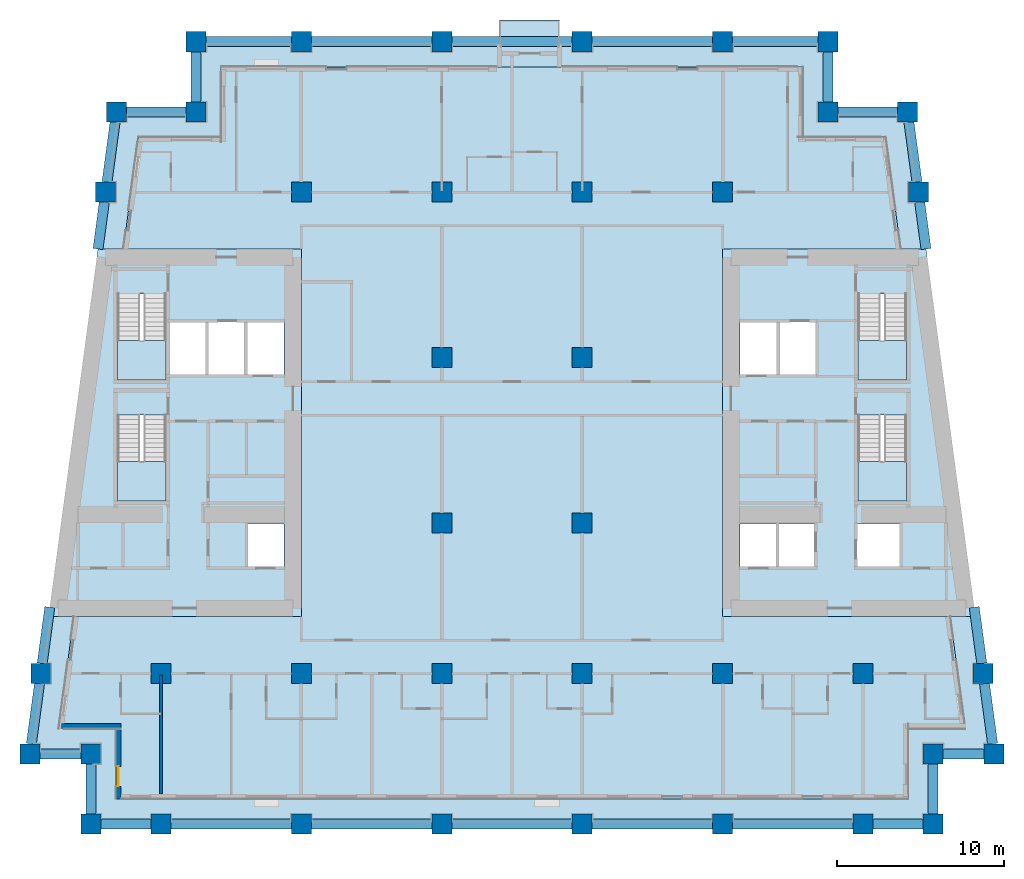
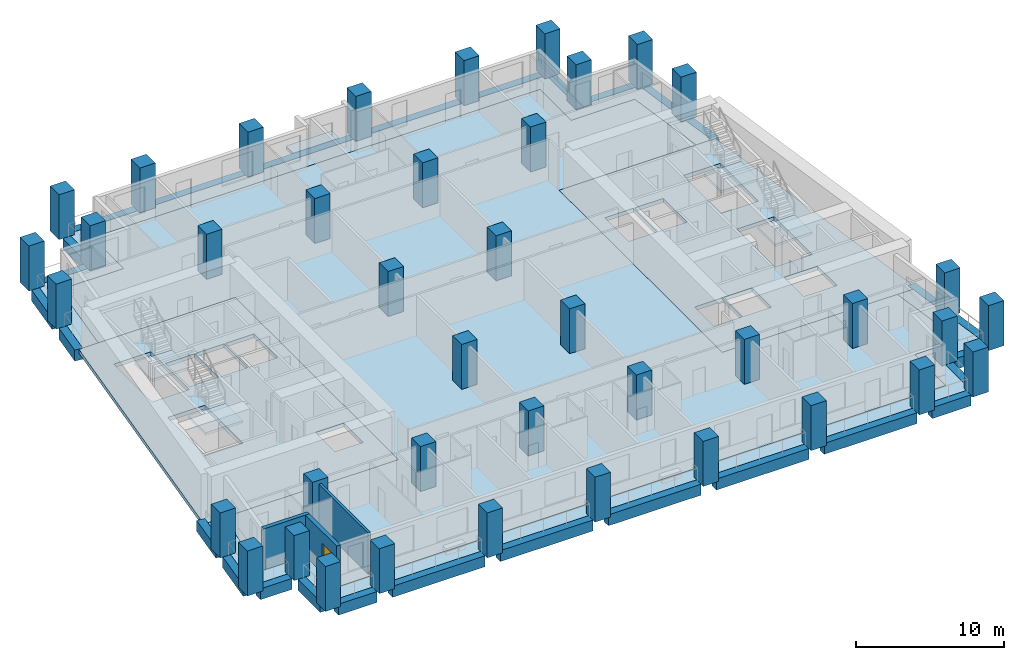
# One storey, part 1 of 13: 40 columns, 28 beams, 10 slabs, 3 walls, 1 door, 1 opening, 4 elements without a shape of their own.
"""IFC4 building model written with IfcOpenShell, lengths in metres."""

import ifcopenshell
import ifcopenshell.guid

model = None  # the IFC model being written
_history = None  # IfcOwnerHistory: only IFC2X3 demands one
_inside = {}  # id of a spatial element -> (the spatial element, [elements in it])
_under = {}  # id of a project, library or spatial element -> (it, [spatial elements below it])
_declared = {}  # id of a project -> (the project, [libraries it declares])
_typed = {}  # id of a type object -> (the type object, [elements of that type])
_made_of = {}  # id of a material, layer set ... -> (it, [elements and type objects made of it])


def new_model(schema):
    """Start an empty IFC model of exactly this schema.

    Asked for "IFC4X3", IfcOpenShell would pick the latest addendum, in which some entities
    have other attributes; the version numbers below select the first issue.
    IFC2X3 requires an IfcOwnerHistory on every rooted entity: one is made here for all.
    """
    global model, _history
    if schema == "IFC4X3":
        model = ifcopenshell.file(schema_version=(4, 3, 0, 0))
    else:
        model = ifcopenshell.file(schema=schema)
    _inside.clear()
    _under.clear()
    _declared.clear()
    _typed.clear()
    _made_of.clear()
    _history = None
    if model.schema == "IFC2X3":
        org = make("IfcOrganization", Name="unknown")
        user = make(
            "IfcPersonAndOrganization",
            ThePerson=make("IfcPerson", FamilyName="unknown"),
            TheOrganization=org,
        )
        app = make(
            "IfcApplication",
            ApplicationDeveloper=org,
            Version="unknown",
            ApplicationFullName="unknown",
            ApplicationIdentifier="unknown",
        )
        _history = make(
            "IfcOwnerHistory",
            OwningUser=user,
            OwningApplication=app,
            ChangeAction="ADDED",
            CreationDate=0,
        )
    return model


def make(cls, **values):
    """One entity of the class cls with the attributes given. An attribute that is None is left unset."""
    return model.create_entity(
        cls, **{name: value for name, value in values.items() if value is not None}
    )


def rooted(cls, **values):
    """An entity with a GlobalId (a new one), such as an element, a storey or a relation."""
    return make(cls, GlobalId=ifcopenshell.guid.new(), OwnerHistory=_history, **values)


def si_unit(unit_type, name, prefix=None):
    """IfcSIUnit, for example si_unit("LENGTHUNIT", "METRE", prefix="MILLI")."""
    return make("IfcSIUnit", UnitType=unit_type, Prefix=prefix, Name=name)


def assignment(units):
    """IfcUnitAssignment: the units of a project."""
    return None if units is None else make("IfcUnitAssignment", Units=units)


def point(xyz):
    """IfcCartesianPoint."""
    return None if xyz is None else make("IfcCartesianPoint", Coordinates=xyz)


def direction(xyz):
    """IfcDirection."""
    return None if xyz is None else make("IfcDirection", DirectionRatios=xyz)


def frame(location, z_axis=None, x_axis=None):
    """IfcAxis2Placement3D, a coordinate frame: its origin and axes. An axis left out is left unset."""
    return make(
        "IfcAxis2Placement3D",
        Location=point(location),
        Axis=direction(z_axis),
        RefDirection=direction(x_axis),
    )


def frame_2d(location, x_axis=None):
    """IfcAxis2Placement2D, a coordinate frame in the plane: its origin and x axis."""
    return make(
        "IfcAxis2Placement2D", Location=point(location), RefDirection=direction(x_axis)
    )


def origin():
    """The frame at (0, 0, 0) with its axes left unset."""
    return frame((0.0, 0.0, 0.0))


def origin_2d():
    """The frame at (0, 0) in the plane with its x axis left unset."""
    return frame_2d((0.0, 0.0))


def place(relative_to, where):
    """IfcLocalPlacement: puts the frame where relative to a parent placement (None: the world)."""
    return make(
        "IfcLocalPlacement", PlacementRelTo=relative_to, RelativePlacement=where
    )


def context(
    kind, dimensions, precision=None, world=None, true_north=None, identifier=None
):
    """IfcGeometricRepresentationContext, for example the 3D "Model" context."""
    return make(
        "IfcGeometricRepresentationContext",
        ContextIdentifier=identifier,
        ContextType=kind,
        CoordinateSpaceDimension=dimensions,
        Precision=precision,
        WorldCoordinateSystem=world,
        TrueNorth=true_north,
    )


def subcontext(parent, identifier, kind, view, scale=None):
    """IfcGeometricRepresentationSubContext, for example "Body" below "Model"."""
    return make(
        "IfcGeometricRepresentationSubContext",
        ContextIdentifier=identifier,
        ContextType=kind,
        ParentContext=parent,
        TargetScale=scale,
        TargetView=view,
    )


def project(units=None, contexts=None):
    """IfcProject with its units and contexts."""
    return rooted(
        "IfcProject",
        Name="project",
        RepresentationContexts=contexts,
        UnitsInContext=assignment(units),
    )


def spatial(cls, under=None, at=None, **own):
    """A site, building, storey or space (cls), placed at a placement, below another one or the project."""
    s = rooted(cls, ObjectPlacement=at, **own)
    if under is not None:
        _under.setdefault(under.id(), (under, []))[1].append(s)
    return s


def polyline(points):
    """IfcPolyline through the points."""
    return make("IfcPolyline", Points=[point(p) for p in points])


def profile(cls, at=None, kind="AREA", **sizes):
    """A parametric profile (cls). Its sizes go by their IFC names, for example OverallWidth=200.0."""
    return make(cls, ProfileType=kind, Position=at, **sizes)


def rectangle(**sizes):
    """IfcRectangleProfileDef."""
    return profile("IfcRectangleProfileDef", **sizes)


def outline(outer, holes=None, kind="AREA"):
    """IfcArbitraryClosedProfileDef: a profile drawn as a closed curve; with holes, ...WithVoids."""
    if holes is None:
        return make("IfcArbitraryClosedProfileDef", ProfileType=kind, OuterCurve=outer)
    return make(
        "IfcArbitraryProfileDefWithVoids",
        ProfileType=kind,
        OuterCurve=outer,
        InnerCurves=holes,
    )


def extrude(swept, where, along, depth):
    """IfcExtrudedAreaSolid: the profile swept, set in the frame where, extruded along a direction by depth."""
    return make(
        "IfcExtrudedAreaSolid",
        SweptArea=swept,
        Position=where,
        ExtrudedDirection=direction(along),
        Depth=depth,
    )


def shape(context_of_items, identifier, shape_type, items):
    """IfcShapeRepresentation: the items that make up one representation, for example the "Body"."""
    return make(
        "IfcShapeRepresentation",
        ContextOfItems=context_of_items,
        RepresentationIdentifier=identifier,
        RepresentationType=shape_type,
        Items=items,
    )


def material(Name=None, Category=None):
    """IfcMaterial."""
    return make("IfcMaterial", Name=Name, Category=Category)


def layer(
    of_material, thickness, ventilated=None, Name=None, Category=None, Priority=None
):
    """IfcMaterialLayer: one layer of a wall or slab, of a material (None: an air gap)."""
    return make(
        "IfcMaterialLayer",
        Material=of_material,
        LayerThickness=thickness,
        IsVentilated=ventilated,
        Name=Name,
        Category=Category,
        Priority=Priority,
    )


def layer_set(layers, Name=None):
    """IfcMaterialLayerSet."""
    return make("IfcMaterialLayerSet", MaterialLayers=layers, LayerSetName=Name)


def material_profile(
    of_material, cross_section, Name=None, Category=None, Priority=None
):
    """IfcMaterialProfile: a cross section and its material."""
    return make(
        "IfcMaterialProfile",
        Name=Name,
        Material=of_material,
        Profile=cross_section,
        Priority=Priority,
        Category=Category,
    )


def profile_set(profiles, Name=None, composite=None):
    """IfcMaterialProfileSet."""
    return make(
        "IfcMaterialProfileSet",
        Name=Name,
        MaterialProfiles=profiles,
        CompositeProfile=composite,
    )


def made_of(thing, what):
    """Note that an element or type object is made of a material, layer set ...; save() writes the relation."""
    if what is not None:
        _made_of.setdefault(what.id(), (what, []))[1].append(thing)
    return thing


def type_object(cls, material=None, **own):
    """A type object (cls), such as IfcWallType, which elements share."""
    return made_of(rooted(cls, **own), material)


def element(
    cls,
    number,
    at=None,
    inside=None,
    cuts=None,
    type_object=None,
    material=None,
    context=None,
    identifier="Body",
    shape_type=None,
    held_by="IfcProductDefinitionShape",
    body=None,
    shapes=None,
    **own,
):
    """One element of the class cls, such as IfcWall. Its Tag is "e" and its number.

    at: its placement. inside: the storey or other place that contains it. cuts: it is an
    opening in that element (IfcRelVoidsElement). A single representation is given by context,
    identifier, shape_type and body (its items); several are given by shapes. held_by: the class
    of the entity that holds the representations. save() writes the other relations.
    """
    e = rooted(cls, Tag="e%d" % number, ObjectPlacement=at, **own)
    if body is not None:
        shapes = [shape(context, identifier, shape_type, body)]
    if shapes is not None:
        e.Representation = make(held_by, Representations=shapes)
    if inside is not None:
        _inside.setdefault(inside.id(), (inside, []))[1].append(e)
    if cuts is not None:
        rooted(
            "IfcRelVoidsElement", RelatingBuildingElement=cuts, RelatedOpeningElement=e
        )
    if type_object is not None:
        _typed.setdefault(type_object.id(), (type_object, []))[1].append(e)
    return made_of(e, material)


def fill(opening, filler):
    """IfcRelFillsElement: the door or window that sits in an opening."""
    return rooted(
        "IfcRelFillsElement",
        RelatingOpeningElement=opening,
        RelatedBuildingElement=filler,
    )


def aggregate(whole, parts):
    """IfcRelAggregates: a whole, such as a stair, and the parts it consists of."""
    return rooted("IfcRelAggregates", RelatingObject=whole, RelatedObjects=parts)


def save(model, path):
    """Write the relations noted so far, then the file.

    IfcRelAggregates (storeys below a building ...), IfcRelContainedInSpatialStructure (elements
    in a storey), IfcRelDefinesByType, IfcRelAssociatesMaterial and IfcRelDeclares: one each for
    every whole, place, type object, material and project.
    """
    for whole, parts in _under.values():
        aggregate(whole, parts)
    for where, things in _inside.values():
        rooted(
            "IfcRelContainedInSpatialStructure",
            RelatedElements=things,
            RelatingStructure=where,
        )
    for kind, things in _typed.values():
        rooted("IfcRelDefinesByType", RelatedObjects=things, RelatingType=kind)
    for what, things in _made_of.values():
        rooted("IfcRelAssociatesMaterial", RelatedObjects=things, RelatingMaterial=what)
    for by, libraries in _declared.values():
        rooted("IfcRelDeclares", RelatingContext=by, RelatedDefinitions=libraries)
    model.write(path)


model = new_model("IFC4")

# Units and contexts
model_context = context("Model", 3, precision=1e-05, world=origin(), true_north=direction((0.0, 1.0)))
body_context = subcontext(model_context, "Body", "Model", "MODEL_VIEW")
ifc_project = project(units=[si_unit("LENGTHUNIT", "METRE"), si_unit("AREAUNIT", "SQUARE_METRE"), si_unit("VOLUMEUNIT", "CUBIC_METRE"), si_unit("PLANEANGLEUNIT", "RADIAN"), si_unit("MASSUNIT", "GRAM", prefix="KILO")], contexts=[model_context])

# Site, building, storey
site_placement = place(None, origin())
site = spatial("IfcSite", under=ifc_project, at=site_placement, CompositionType="ELEMENT")
building_placement = place(site_placement, origin())
building = spatial("IfcBuilding", under=site, at=building_placement, Name="Candeia Pilgrim Tower and Theatre", CompositionType="ELEMENT")
storey_placement = place(building_placement, frame((0.0, 0.0, 94.699951171875)))
storey = spatial("IfcBuildingStorey", under=building, at=storey_placement, Name="L21", CompositionType="ELEMENT", Elevation=94.699951171875)

# Columns
ifc_material_1 = material(Name="Concrete C70/85", Category="concrete")
ifc_material_profile_1 = material_profile(ifc_material_1, rectangle(XDim=1.199951171875, YDim=1.199951171875, at=origin_2d()))
ifc_profile_set_1 = profile_set([ifc_material_profile_1], Name="Concrete C70/85")
column_type = type_object("IfcColumnType", Name="RC 1200x1200 C70/85", PredefinedType="COLUMN", material=ifc_profile_set_1)
for number, where, z_axis, x_axis, name in (
    (1, (92.39990234375, 98.0, 0.0), (0.0, 0.0, 1.0), (1.0, 0.0, 0.0), "Column A1"),
    (2, (100.800048828125, 98.0, 0.0), (0.0, 0.0, 1.0), (1.0, 0.0, 0.0), "Column A2"),
    (3, (109.199951171875, 98.0, 0.0), (0.0, 0.0, 1.0), (1.0, 0.0, 0.0), "Column A3"),
    (4, (117.60009765625, 98.0, 0.0), (0.0, 0.0, 1.0), (1.0, 0.0, 0.0), "Column A4"),
    (5, (126.0, 98.0, 0.0), (0.0, 0.0, 1.0), (1.0, 0.0, 0.0), "Column A5"),
    (6, (134.39990234375, 98.0, 0.0), (0.0, 0.0, 1.0), (1.0, 0.0, 0.0), "Column A6"),
    (7, (88.199951171875, 98.0, 0.0), (0.0, 0.0, 1.0), (1.0, 0.0, 0.0), "Column AW"),
    (8, (138.60009765625, 98.0, 0.0), (0.0, 0.0, 1.0), (1.0, 0.0, 0.0), "Column AE"),
    (9, (88.199951171875, 102.199951171875, 0.0), (0.0, 0.0, 1.0), (1.0, 0.0, 0.0), "Column NSW"),
    (10, (138.60009765625, 102.199951171875, 0.0), (0.0, 0.0, 1.0), (1.0, 0.0, 0.0), "Column NSE"),
    (11, (94.5, 140.60009765625, 0.0), (0.0, 0.0, 1.0), (1.0, 0.0, 0.0), "Column NNW"),
    (12, (132.300048828125, 140.60009765625, 0.0), (0.0, 0.0, 1.0), (1.0, 0.0, 0.0), "Column NNE"),
    (13, (84.5654296875, 102.199951171875, 0.0), (0.0, 0.0, 1.0), (1.0, 0.0, 0.0), "Column LSW"),
    (14, (142.234619140625, 102.199951171875, 0.0), (0.0, 0.0, 1.0), (1.0, 0.0, 0.0), "Column LSE"),
    (15, (89.734619140625, 140.60009765625, 0.0), (0.0, 0.0, 1.0), (1.0, 0.0, 0.0), "Column LNW"),
    (16, (137.0654296875, 140.60009765625, 0.0), (0.0, 0.0, 1.0), (1.0, 0.0, 0.0), "Column LNE"),
    (17, (92.39990234375, 107.0, 0.0), (0.0, 0.0, 1.0), (1.0, 0.0, 0.0), "Column B1"),
    (18, (100.800048828125, 107.0, 0.0), (0.0, 0.0, 1.0), (1.0, 0.0, 0.0), "Column B2"),
    (19, (109.199951171875, 107.0, 0.0), (0.0, 0.0, 1.0), (1.0, 0.0, 0.0), "Column B3"),
    (20, (117.60009765625, 107.0, 0.0), (0.0, 0.0, 1.0), (1.0, 0.0, 0.0), "Column B4"),
    (21, (126.0, 107.0, 0.0), (0.0, 0.0, 1.0), (1.0, 0.0, 0.0), "Column B5"),
    (22, (134.39990234375, 107.0, 0.0), (0.0, 0.0, 1.0), (1.0, 0.0, 0.0), "Column B6"),
    (23, (85.21142578125, 107.0, 0.0), (0.0, 0.0, 1.0), (1.0, 0.0, 0.0), "Column BW"),
    (24, (141.58837890625, 107.0, 0.0), (0.0, 0.0, 1.0), (1.0, 0.0, 0.0), "Column BE"),
    (25, (109.199951171875, 116.0, 0.0), (0.0, 0.0, 1.0), (1.0, 0.0, 0.0), "Column C3"),
    (26, (117.60009765625, 116.0, 0.0), (0.0, 0.0, 1.0), (1.0, 0.0, 0.0), "Column C4"),
    (27, (109.199951171875, 125.89990234375, 0.0), (0.0, 0.0, 1.0), (1.0, 0.0, 0.0), "Column D3"),
    (28, (117.60009765625, 125.89990234375, 0.0), (0.0, 0.0, 1.0), (1.0, 0.0, 0.0), "Column D4"),
    (29, (100.800048828125, 135.800048828125, 0.0), (0.0, 0.0, 1.0), (1.0, 0.0, 0.0), "Column E2"),
    (30, (109.199951171875, 135.800048828125, 0.0), (0.0, 0.0, 1.0), (1.0, 0.0, 0.0), "Column E3"),
    (31, (117.60009765625, 135.800048828125, 0.0), (0.0, 0.0, 1.0), (1.0, 0.0, 0.0), "Column E4"),
    (32, (126.0, 135.800048828125, 0.0), (0.0, 0.0, 1.0), (1.0, 0.0, 0.0), "Column E5"),
    (33, (89.08837890625, 135.800048828125, 0.0), (0.0, 0.0, 1.0), (1.0, 0.0, 0.0), "Column EW"),
    (34, (137.71142578125, 135.800048828125, 0.0), (0.0, 0.0, 1.0), (1.0, 0.0, 0.0), "Column EE"),
    (35, (100.800048828125, 144.800048828125, 0.0), (0.0, 0.0, 1.0), (1.0, 0.0, 0.0), "Column F2"),
    (36, (109.199951171875, 144.800048828125, 0.0), (0.0, 0.0, 1.0), (1.0, 0.0, 0.0), "Column F3"),
    (37, (117.60009765625, 144.800048828125, 0.0), (0.0, 0.0, 1.0), (1.0, 0.0, 0.0), "Column F4"),
    (38, (126.0, 144.800048828125, 0.0), (0.0, 0.0, 1.0), (1.0, 0.0, 0.0), "Column F5"),
    (39, (94.5, 144.800048828125, 0.0), (0.0, 0.0, 1.0), (1.0, 0.0, 0.0), "Column FW"),
    (40, (132.300048828125, 144.800048828125, 0.0), (0.0, 0.0, 1.0), (1.0, 0.0, 0.0), "Column FE"),
):
    element("IfcColumn", number, at=place(storey_placement, frame(where, z_axis=z_axis, x_axis=x_axis)), inside=storey, type_object=column_type, Name=name, PredefinedType="COLUMN", context=body_context, shape_type="SweptSolid", body=[
        extrude(rectangle(XDim=1.199951171875, YDim=1.199951171875, at=origin_2d()), origin(), (0.0, 0.0, 1.0), 3.699951171875),
    ])

# Beams
ifc_material_profile_2 = material_profile(ifc_material_1, rectangle(XDim=0.60009765625, YDim=0.89990234375, at=origin_2d()))
ifc_profile_set_2 = profile_set([ifc_material_profile_2], Name="Concrete C70/85")
beam_type = type_object("IfcBeamType", Name="RC 600x900 C70/85", PredefinedType="BEAM", material=ifc_profile_set_2)
beam_1_placement = place(storey_placement, frame((88.800048828125, 98.0, -0.449951171875), z_axis=(1.0, 0.0, 0.0), x_axis=(0.0, 1.0, 0.0)))
element("IfcBeam", 41, at=beam_1_placement, inside=storey, type_object=beam_type, Name="Spandrel beam L21-01", PredefinedType="BEAM", context=body_context, shape_type="SweptSolid", body=[
    extrude(rectangle(XDim=0.60009765625, YDim=0.89990234375, at=origin_2d()), origin(), (0.0, 0.0, 1.0), 3.0),
])
beam_2_placement = place(storey_placement, frame((93.0, 98.0, -0.449951171875), z_axis=(1.0, 0.0, 0.0), x_axis=(0.0, 1.0, 0.0)))
element("IfcBeam", 42, at=beam_2_placement, inside=storey, type_object=beam_type, Name="Spandrel beam L21-02", PredefinedType="BEAM", context=body_context, shape_type="SweptSolid", body=[
    extrude(rectangle(XDim=0.60009765625, YDim=0.89990234375, at=origin_2d()), origin(), (0.0, 0.0, 1.0), 7.199951171875),
])
beam_3_placement = place(storey_placement, frame((101.39990234375, 98.0, -0.449951171875), z_axis=(1.0, 0.0, 0.0), x_axis=(0.0, 1.0, 0.0)))
element("IfcBeam", 43, at=beam_3_placement, inside=storey, type_object=beam_type, Name="Spandrel beam L21-03", PredefinedType="BEAM", context=body_context, shape_type="SweptSolid", body=[
    extrude(rectangle(XDim=0.60009765625, YDim=0.89990234375, at=origin_2d()), origin(), (0.0, 0.0, 1.0), 7.2001953125),
])
for number, where, z_axis, x_axis, name in (
    (44, (109.800048828125, 98.0, -0.449951171875), (1.0, 0.0, 0.0), (0.0, 1.0, 0.0), "Spandrel beam L21-04"),
    (45, (118.199951171875, 98.0, -0.449951171875), (1.0, 0.0, 0.0), (0.0, 1.0, 0.0), "Spandrel beam L21-05"),
    (46, (126.60009765625, 98.0, -0.449951171875), (1.0, 0.0, 0.0), (0.0, 1.0, 0.0), "Spandrel beam L21-06"),
):
    element("IfcBeam", number, at=place(storey_placement, frame(where, z_axis=z_axis, x_axis=x_axis)), inside=storey, type_object=beam_type, Name=name, PredefinedType="BEAM", context=body_context, shape_type="SweptSolid", body=[
        extrude(rectangle(XDim=0.60009765625, YDim=0.89990234375, at=origin_2d()), origin(), (0.0, 0.0, 1.0), 7.199951171875),
    ])
for number, where, z_axis, x_axis, name in (
    (47, (135.0, 98.0, -0.449951171875), (1.0, 0.0, 0.0), (0.0, 1.0, 0.0), "Spandrel beam L21-07"),
    (48, (138.60009765625, 98.60009765625, -0.449951171875), (0.0, 1.0, 0.0), (-1.0, 0.0, 0.0), "Spandrel beam L21-08"),
):
    element("IfcBeam", number, at=place(storey_placement, frame(where, z_axis=z_axis, x_axis=x_axis)), inside=storey, type_object=beam_type, Name=name, PredefinedType="BEAM", context=body_context, shape_type="SweptSolid", body=[
        extrude(rectangle(XDim=0.60009765625, YDim=0.89990234375, at=origin_2d()), origin(), (0.0, 0.0, 1.0), 3.0),
    ])
beam_4_placement = place(storey_placement, frame((139.199951171875, 102.199951171875, -0.449951171875), z_axis=(1.0, 0.0, 0.0), x_axis=(0.0, 1.0, 0.0)))
element("IfcBeam", 49, at=beam_4_placement, inside=storey, type_object=beam_type, Name="Spandrel beam L21-09", PredefinedType="BEAM", context=body_context, shape_type="SweptSolid", body=[
    extrude(rectangle(XDim=0.60009765625, YDim=0.89990234375, at=origin_2d()), origin(), (0.0, 0.0, 1.0), 2.4345703125),
])
beam_5_placement = place(storey_placement, frame((142.15380859375, 102.800048828125, -0.449951171875), z_axis=(-0.133418359924, 0.991059807093, 0.0), x_axis=(-0.991059807093, -0.133418359924, 0.0)))
element("IfcBeam", 50, at=beam_5_placement, inside=storey, type_object=beam_type, Name="Spandrel beam L21-10", PredefinedType="BEAM", context=body_context, shape_type="SweptSolid", body=[
    extrude(rectangle(XDim=0.60009765625, YDim=0.89990234375, at=origin_2d()), origin(), (0.0, 0.0, 1.0), 3.63232421875),
])
beam_6_placement = place(storey_placement, frame((141.5078125, 107.60009765625, -0.449951171875), z_axis=(-0.133458165992, 0.99105444751, 0.0), x_axis=(-0.99105444751, -0.133458165992, 0.0)))
element("IfcBeam", 51, at=beam_6_placement, inside=storey, type_object=beam_type, Name="Spandrel beam L21-11", PredefinedType="BEAM", context=body_context, shape_type="SweptSolid", body=[
    extrude(rectangle(XDim=0.60009765625, YDim=0.89990234375, at=origin_2d()), origin(), (0.0, 0.0, 1.0), 3.39697265625),
])
beam_7_placement = place(storey_placement, frame((138.169189453125, 132.39990234375, -0.449951171875), z_axis=(-0.133420173099, 0.991059562998, 0.0), x_axis=(-0.991059562998, -0.133420173099, 0.0)))
element("IfcBeam", 52, at=beam_7_placement, inside=storey, type_object=beam_type, Name="Spandrel beam L21-12", PredefinedType="BEAM", context=body_context, shape_type="SweptSolid", body=[
    extrude(rectangle(XDim=0.60009765625, YDim=0.89990234375, at=origin_2d()), origin(), (0.0, 0.0, 1.0), 2.8251953125),
])
beam_8_placement = place(storey_placement, frame((137.630859375, 136.39990234375, -0.449951171875), z_axis=(-0.133409473196, 0.991061003401, 0.0), x_axis=(-0.991061003401, -0.133409473196, 0.0)))
element("IfcBeam", 53, at=beam_8_placement, inside=storey, type_object=beam_type, Name="Spandrel beam L21-13", PredefinedType="BEAM", context=body_context, shape_type="SweptSolid", body=[
    extrude(rectangle(XDim=0.60009765625, YDim=0.89990234375, at=origin_2d()), origin(), (0.0, 0.0, 1.0), 3.632568359375),
])
beam_9_placement = place(storey_placement, frame((136.46533203125, 140.60009765625, -0.449951171875), z_axis=(-1.0, 0.0, 0.0), x_axis=(0.0, -1.0, 0.0)))
element("IfcBeam", 54, at=beam_9_placement, inside=storey, type_object=beam_type, Name="Spandrel beam L21-14", PredefinedType="BEAM", context=body_context, shape_type="SweptSolid", body=[
    extrude(rectangle(XDim=0.60009765625, YDim=0.89990234375, at=origin_2d()), origin(), (0.0, 0.0, 1.0), 3.5654296875),
])
beam_10_placement = place(storey_placement, frame((132.300048828125, 141.199951171875, -0.449951171875), z_axis=(0.0, 1.0, 0.0), x_axis=(-1.0, 0.0, 0.0)))
element("IfcBeam", 55, at=beam_10_placement, inside=storey, type_object=beam_type, Name="Spandrel beam L21-15", PredefinedType="BEAM", context=body_context, shape_type="SweptSolid", body=[
    extrude(rectangle(XDim=0.60009765625, YDim=0.89990234375, at=origin_2d()), origin(), (0.0, 0.0, 1.0), 3.0),
])
beam_11_placement = place(storey_placement, frame((131.699951171875, 144.800048828125, -0.449951171875), z_axis=(-1.0, 0.0, 0.0), x_axis=(0.0, -1.0, 0.0)))
element("IfcBeam", 56, at=beam_11_placement, inside=storey, type_object=beam_type, Name="Spandrel beam L21-16", PredefinedType="BEAM", context=body_context, shape_type="SweptSolid", body=[
    extrude(rectangle(XDim=0.60009765625, YDim=0.89990234375, at=origin_2d()), origin(), (0.0, 0.0, 1.0), 5.099853515625),
])
for number, where, z_axis, x_axis, name in (
    (57, (125.39990234375, 144.800048828125, -0.449951171875), (-1.0, 0.0, 0.0), (0.0, -1.0, 0.0), "Spandrel beam L21-17"),
    (58, (117.0, 144.800048828125, -0.449951171875), (-1.0, 0.0, 0.0), (0.0, -1.0, 0.0), "Spandrel beam L21-18"),
):
    element("IfcBeam", number, at=place(storey_placement, frame(where, z_axis=z_axis, x_axis=x_axis)), inside=storey, type_object=beam_type, Name=name, PredefinedType="BEAM", context=body_context, shape_type="SweptSolid", body=[
        extrude(rectangle(XDim=0.60009765625, YDim=0.89990234375, at=origin_2d()), origin(), (0.0, 0.0, 1.0), 7.199951171875),
    ])
beam_12_placement = place(storey_placement, frame((108.60009765625, 144.800048828125, -0.449951171875), z_axis=(-1.0, 0.0, 0.0), x_axis=(0.0, -1.0, 0.0)))
element("IfcBeam", 59, at=beam_12_placement, inside=storey, type_object=beam_type, Name="Spandrel beam L21-19", PredefinedType="BEAM", context=body_context, shape_type="SweptSolid", body=[
    extrude(rectangle(XDim=0.60009765625, YDim=0.89990234375, at=origin_2d()), origin(), (0.0, 0.0, 1.0), 7.2001953125),
])
beam_13_placement = place(storey_placement, frame((100.199951171875, 144.800048828125, -0.449951171875), z_axis=(-1.0, 0.0, 0.0), x_axis=(0.0, -1.0, 0.0)))
element("IfcBeam", 60, at=beam_13_placement, inside=storey, type_object=beam_type, Name="Spandrel beam L21-20", PredefinedType="BEAM", context=body_context, shape_type="SweptSolid", body=[
    extrude(rectangle(XDim=0.60009765625, YDim=0.89990234375, at=origin_2d()), origin(), (0.0, 0.0, 1.0), 5.099853515625),
])
beam_14_placement = place(storey_placement, frame((94.5, 144.199951171875, -0.449951171875), z_axis=(0.0, -1.0, 0.0), x_axis=(1.0, 0.0, 0.0)))
element("IfcBeam", 61, at=beam_14_placement, inside=storey, type_object=beam_type, Name="Spandrel beam L21-21", PredefinedType="BEAM", context=body_context, shape_type="SweptSolid", body=[
    extrude(rectangle(XDim=0.60009765625, YDim=0.89990234375, at=origin_2d()), origin(), (0.0, 0.0, 1.0), 3.0),
])
beam_15_placement = place(storey_placement, frame((93.89990234375, 140.60009765625, -0.449951171875), z_axis=(-1.0, 0.0, 0.0), x_axis=(0.0, -1.0, 0.0)))
element("IfcBeam", 62, at=beam_15_placement, inside=storey, type_object=beam_type, Name="Spandrel beam L21-22", PredefinedType="BEAM", context=body_context, shape_type="SweptSolid", body=[
    extrude(rectangle(XDim=0.60009765625, YDim=0.89990234375, at=origin_2d()), origin(), (0.0, 0.0, 1.0), 3.565185546875),
])
beam_16_placement = place(storey_placement, frame((89.65380859375, 140.0, -0.449951171875), z_axis=(-0.133409473196, -0.991061003401, 0.0), x_axis=(0.991061003401, -0.133409473196, 0.0)))
element("IfcBeam", 63, at=beam_16_placement, inside=storey, type_object=beam_type, Name="Spandrel beam L21-23", PredefinedType="BEAM", context=body_context, shape_type="SweptSolid", body=[
    extrude(rectangle(XDim=0.60009765625, YDim=0.89990234375, at=origin_2d()), origin(), (0.0, 0.0, 1.0), 3.632568359375),
])
beam_17_placement = place(storey_placement, frame((89.0078125, 135.199951171875, -0.449951171875), z_axis=(-0.133420173099, -0.991059562998, 0.0), x_axis=(0.991059562998, -0.133420173099, 0.0)))
element("IfcBeam", 64, at=beam_17_placement, inside=storey, type_object=beam_type, Name="Spandrel beam L21-24", PredefinedType="BEAM", context=body_context, shape_type="SweptSolid", body=[
    extrude(rectangle(XDim=0.60009765625, YDim=0.89990234375, at=origin_2d()), origin(), (0.0, 0.0, 1.0), 2.8251953125),
])
beam_18_placement = place(storey_placement, frame((85.74560546875, 110.966796875, -0.449951171875), z_axis=(-0.133458165992, -0.99105444751, 0.0), x_axis=(0.99105444751, -0.133458165992, 0.0)))
element("IfcBeam", 65, at=beam_18_placement, inside=storey, type_object=beam_type, Name="Spandrel beam L21-25", PredefinedType="BEAM", context=body_context, shape_type="SweptSolid", body=[
    extrude(rectangle(XDim=0.60009765625, YDim=0.89990234375, at=origin_2d()), origin(), (0.0, 0.0, 1.0), 3.39697265625),
])
beam_19_placement = place(storey_placement, frame((85.130859375, 106.39990234375, -0.449951171875), z_axis=(-0.133418359924, -0.991059807093, 0.0), x_axis=(0.991059807093, -0.133418359924, 0.0)))
element("IfcBeam", 66, at=beam_19_placement, inside=storey, type_object=beam_type, Name="Spandrel beam L21-26", PredefinedType="BEAM", context=body_context, shape_type="SweptSolid", body=[
    extrude(rectangle(XDim=0.60009765625, YDim=0.89990234375, at=origin_2d()), origin(), (0.0, 0.0, 1.0), 3.63232421875),
])
beam_20_placement = place(storey_placement, frame((85.165283203125, 102.199951171875, -0.449951171875), z_axis=(1.0, 0.0, 0.0), x_axis=(0.0, 1.0, 0.0)))
element("IfcBeam", 67, at=beam_20_placement, inside=storey, type_object=beam_type, Name="Spandrel beam L21-27", PredefinedType="BEAM", context=body_context, shape_type="SweptSolid", body=[
    extrude(rectangle(XDim=0.60009765625, YDim=0.89990234375, at=origin_2d()), origin(), (0.0, 0.0, 1.0), 2.434814453125),
])
beam_21_placement = place(storey_placement, frame((88.199951171875, 101.60009765625, -0.449951171875), z_axis=(0.0, -1.0, 0.0), x_axis=(1.0, 0.0, 0.0)))
element("IfcBeam", 68, at=beam_21_placement, inside=storey, type_object=beam_type, Name="Spandrel beam L21-28", PredefinedType="BEAM", context=body_context, shape_type="SweptSolid", body=[
    extrude(rectangle(XDim=0.60009765625, YDim=0.89990234375, at=origin_2d()), origin(), (0.0, 0.0, 1.0), 3.0),
])

# Slabs
ifc_material_2 = material(Name="Concrete C40/50", Category="concrete")
ifc_layer_1 = layer(ifc_material_2, 0.25)
ifc_layer_set_1 = layer_set([ifc_layer_1], Name="BK1 balcony slab 250")
slab_type_1 = type_object("IfcSlabType", Name="BK1 balcony slab 250", PredefinedType="USERDEFINED", material=ifc_layer_set_1)
slab_1_placement = place(storey_placement, frame((0.0, 0.0, -0.25)))
element("IfcSlab", 69, at=slab_1_placement, inside=storey, type_object=slab_type_1, Name="Balcony L21", ObjectType="BALCONY", PredefinedType="USERDEFINED", context=body_context, shape_type="SweptSolid", body=[
    extrude(outline(polyline([(112.64990234375, 144.5), (116.25, 144.5), (116.25, 146.10009765625), (112.64990234375, 146.10009765625), (112.64990234375, 144.5)])), origin(), (0.0, 0.0, 1.0), 0.25),
])
ifc_material_3 = material(Name="Concrete C60/75", Category="concrete")
ifc_layer_2 = layer(ifc_material_3, 0.320068359375)
ifc_layer_set_2 = layer_set([ifc_layer_2], Name="FS-CORE 320 core floor")
slab_type_2 = type_object("IfcSlabType", Name="FS-CORE 320 core floor", PredefinedType="FLOOR", material=ifc_layer_set_2)
slab_2_placement = place(storey_placement, frame((0.0, 0.0, -0.320068359375)))
element("IfcSlab", 70, at=slab_2_placement, inside=storey, type_object=slab_type_2, Name="Core floor W L21", PredefinedType="FLOOR", context=body_context, shape_type="SweptSolid", body=[
    extrude(outline(polyline([(100.800048828125, 132.39990234375), (100.800048828125, 110.39990234375), (85.669189453125, 110.39990234375), (88.630859375, 132.39990234375), (100.800048828125, 132.39990234375)]), holes=[polyline([(97.525634765625, 128.050048828125), (97.525634765625, 124.85009765625), (99.75, 124.85009765625), (99.75, 128.050048828125), (97.525634765625, 128.050048828125)]), polyline([(97.5634765625, 113.35009765625), (99.75, 113.35009765625), (99.75, 115.949951171875), (97.5634765625, 115.949951171875), (97.5634765625, 113.35009765625)]), polyline([(95.201416015625, 124.85009765625), (97.42578125, 124.85009765625), (97.42578125, 128.050048828125), (95.201416015625, 128.050048828125), (95.201416015625, 124.85009765625)]), polyline([(92.876953125, 128.050048828125), (92.876953125, 124.85009765625), (95.101318359375, 124.85009765625), (95.101318359375, 128.050048828125), (92.876953125, 128.050048828125)]), polyline([(89.802001953125, 122.455078125), (89.802001953125, 117.324951171875), (92.701904296875, 117.324951171875), (92.701904296875, 122.455078125), (89.802001953125, 122.455078125)]), polyline([(89.802001953125, 129.705078125), (89.802001953125, 124.574951171875), (92.701904296875, 124.574951171875), (92.701904296875, 129.705078125), (89.802001953125, 129.705078125)])]), origin(), (0.0, 0.0, 1.0), 0.320068359375),
])
slab_3_placement = place(storey_placement, frame((0.0, 0.0, -0.320068359375)))
element("IfcSlab", 71, at=slab_3_placement, inside=storey, type_object=slab_type_2, Name="Core floor E L21", PredefinedType="FLOOR", context=body_context, shape_type="SweptSolid", body=[
    extrude(outline(polyline([(138.169189453125, 132.39990234375), (141.130859375, 110.39990234375), (126.0, 110.39990234375), (126.0, 132.39990234375), (138.169189453125, 132.39990234375)]), holes=[polyline([(134.097900390625, 122.455078125), (134.097900390625, 117.324951171875), (136.998046875, 117.324951171875), (136.998046875, 122.455078125), (134.097900390625, 122.455078125)]), polyline([(134.097900390625, 129.705078125), (134.097900390625, 124.574951171875), (136.998046875, 124.574951171875), (136.998046875, 129.705078125), (134.097900390625, 129.705078125)]), polyline([(136.6220703125, 115.949951171875), (134.02294921875, 115.949951171875), (134.02294921875, 113.35009765625), (136.6220703125, 113.35009765625), (136.6220703125, 115.949951171875)]), polyline([(131.5986328125, 128.050048828125), (129.374267578125, 128.050048828125), (129.374267578125, 124.85009765625), (131.5986328125, 124.85009765625), (131.5986328125, 128.050048828125)]), polyline([(131.52294921875, 115.949951171875), (129.33642578125, 115.949951171875), (129.33642578125, 113.35009765625), (131.52294921875, 113.35009765625), (131.52294921875, 115.949951171875)]), polyline([(129.2744140625, 128.050048828125), (127.050048828125, 128.050048828125), (127.050048828125, 124.85009765625), (129.2744140625, 124.85009765625), (129.2744140625, 128.050048828125)]), polyline([(127.050048828125, 115.949951171875), (127.050048828125, 113.35009765625), (129.236572265625, 113.35009765625), (129.236572265625, 115.949951171875), (127.050048828125, 115.949951171875)])]), origin(), (0.0, 0.0, 1.0), 0.320068359375),
])
ifc_material_4 = material(Name="Concrete C50/60", Category="concrete")
ifc_layer_3 = layer(ifc_material_4, 0.320068359375)
ifc_layer_set_3 = layer_set([ifc_layer_3], Name="Floor slab 320 C50/60")
slab_type_3 = type_object("IfcSlabType", Name="Floor slab 320 C50/60", PredefinedType="FLOOR", material=ifc_layer_set_3)
slab_4_placement = place(storey_placement, frame((0.0, 0.0, -0.320068359375)))
element("IfcSlab", 72, at=slab_4_placement, inside=storey, type_object=slab_type_3, Name="Floor slab L21", PredefinedType="FLOOR", context=body_context, shape_type="SweptSolid", body=[
    extrude(outline(polyline([(96.0, 139.10009765625), (96.0, 143.300048828125), (130.800048828125, 143.300048828125), (130.800048828125, 139.10009765625), (135.753662109375, 139.10009765625), (136.65576171875, 132.39990234375), (126.0, 132.39990234375), (126.0, 110.39990234375), (139.6171875, 110.39990234375), (140.51904296875, 103.699951171875), (137.10009765625, 103.699951171875), (137.10009765625, 99.5), (89.699951171875, 99.5), (89.699951171875, 103.699951171875), (86.28076171875, 103.699951171875), (87.182861328125, 110.39990234375), (100.800048828125, 110.39990234375), (100.800048828125, 132.39990234375), (90.144287109375, 132.39990234375), (91.046142578125, 139.10009765625), (96.0, 139.10009765625)])), origin(), (0.0, 0.0, 1.0), 0.320068359375),
])
ifc_layer_4 = layer(ifc_material_2, 0.25)
ifc_layer_set_4 = layer_set([ifc_layer_4], Name="Loggia slab 250 C40/50")
slab_type_4 = type_object("IfcSlabType", Name="Loggia slab 250 C40/50", PredefinedType="FLOOR", material=ifc_layer_set_4)
slab_5_placement = place(storey_placement, frame((0.0, 0.0, -0.25)))
element("IfcSlab", 73, at=slab_5_placement, inside=storey, type_object=slab_type_4, Name="Loggia slab L21 1", PredefinedType="FLOOR", context=body_context, shape_type="SweptSolid", body=[
    extrude(outline(polyline([(87.182861328125, 110.39990234375), (86.28076171875, 103.699951171875), (89.699951171875, 103.699951171875), (89.699951171875, 99.5), (137.10009765625, 99.5), (137.10009765625, 103.699951171875), (140.51904296875, 103.699951171875), (139.6171875, 110.39990234375), (140.828125, 110.39990234375), (141.8916015625, 102.5), (138.300048828125, 102.5), (138.300048828125, 98.300048828125), (88.5, 98.300048828125), (88.5, 102.5), (84.908447265625, 102.5), (85.971923828125, 110.39990234375), (87.182861328125, 110.39990234375)])), origin(), (0.0, 0.0, 1.0), 0.25),
])
slab_6_placement = place(storey_placement, frame((0.0, 0.0, -0.25)))
element("IfcSlab", 74, at=slab_6_placement, inside=storey, type_object=slab_type_4, Name="Loggia slab L21 2", PredefinedType="FLOOR", context=body_context, shape_type="SweptSolid", body=[
    extrude(outline(polyline([(136.65576171875, 132.39990234375), (135.753662109375, 139.10009765625), (130.800048828125, 139.10009765625), (130.800048828125, 143.300048828125), (96.0, 143.300048828125), (96.0, 139.10009765625), (91.046142578125, 139.10009765625), (90.144287109375, 132.39990234375), (88.93359375, 132.39990234375), (89.996826171875, 140.300048828125), (94.800048828125, 140.300048828125), (94.800048828125, 144.5), (132.0, 144.5), (132.0, 140.300048828125), (136.802978515625, 140.300048828125), (137.866455078125, 132.39990234375), (136.65576171875, 132.39990234375)])), origin(), (0.0, 0.0, 1.0), 0.25),
])

# Stair, slab
stair_type = type_object("IfcStairType", Name="ST-TWR dog-leg escape stair", PredefinedType="HALF_TURN_STAIR", material=ifc_material_2)
stair_1_placement = place(storey_placement, origin())
stair_1 = element("IfcStair", 75, at=stair_1_placement, inside=storey, type_object=stair_type, Name="L21 Escape stair ST1", PredefinedType="HALF_TURN_STAIR")
ifc_layer_5 = layer(ifc_material_2, 0.199951171875)
ifc_layer_set_5 = layer_set([ifc_layer_5], Name="SL-LANDING stair landing")
slab_type_5 = type_object("IfcSlabType", Name="SL-LANDING stair landing", PredefinedType="LANDING", material=ifc_layer_set_5)
slab_7_placement = place(storey_placement, frame((0.0, 0.0, 1.650146484375)))
slab_7 = element("IfcSlab", 76, at=slab_7_placement, type_object=slab_type_5, Name="ST1 landing 1", PredefinedType="LANDING", context=body_context, shape_type="SweptSolid", body=[
    extrude(outline(polyline([(89.802001953125, 119.675048828125), (89.802001953125, 117.324951171875), (92.701904296875, 117.324951171875), (92.701904296875, 119.675048828125), (89.802001953125, 119.675048828125)])), origin(), (0.0, 0.0, 1.0), 0.199951171875),
])
aggregate(stair_1, [slab_7])

stair_2_placement = place(storey_placement, origin())
stair_2 = element("IfcStair", 77, at=stair_2_placement, inside=storey, type_object=stair_type, Name="L21 Escape stair ST2", PredefinedType="HALF_TURN_STAIR")
slab_8_placement = place(storey_placement, frame((0.0, 0.0, 1.650146484375)))
slab_8 = element("IfcSlab", 78, at=slab_8_placement, type_object=slab_type_5, Name="ST2 landing 1", PredefinedType="LANDING", context=body_context, shape_type="SweptSolid", body=[
    extrude(outline(polyline([(89.802001953125, 126.925048828125), (89.802001953125, 124.574951171875), (92.701904296875, 124.574951171875), (92.701904296875, 126.925048828125), (89.802001953125, 126.925048828125)])), origin(), (0.0, 0.0, 1.0), 0.199951171875),
])
aggregate(stair_2, [slab_8])

stair_3_placement = place(storey_placement, origin())
stair_3 = element("IfcStair", 79, at=stair_3_placement, inside=storey, type_object=stair_type, Name="L21 Escape stair ST3", PredefinedType="HALF_TURN_STAIR")
slab_9_placement = place(storey_placement, frame((0.0, 0.0, 1.650146484375)))
slab_9 = element("IfcSlab", 80, at=slab_9_placement, type_object=slab_type_5, Name="ST3 landing 1", PredefinedType="LANDING", context=body_context, shape_type="SweptSolid", body=[
    extrude(outline(polyline([(134.097900390625, 119.675048828125), (134.097900390625, 117.324951171875), (136.998046875, 117.324951171875), (136.998046875, 119.675048828125), (134.097900390625, 119.675048828125)])), origin(), (0.0, 0.0, 1.0), 0.199951171875),
])
aggregate(stair_3, [slab_9])

stair_4_placement = place(storey_placement, origin())
stair_4 = element("IfcStair", 81, at=stair_4_placement, inside=storey, type_object=stair_type, Name="L21 Escape stair ST4", PredefinedType="HALF_TURN_STAIR")
slab_10_placement = place(storey_placement, frame((0.0, 0.0, 1.650146484375)))
slab_10 = element("IfcSlab", 82, at=slab_10_placement, type_object=slab_type_5, Name="ST4 landing 1", PredefinedType="LANDING", context=body_context, shape_type="SweptSolid", body=[
    extrude(outline(polyline([(134.097900390625, 126.925048828125), (134.097900390625, 124.574951171875), (136.998046875, 124.574951171875), (136.998046875, 126.925048828125), (134.097900390625, 126.925048828125)])), origin(), (0.0, 0.0, 1.0), 0.199951171875),
])
aggregate(stair_4, [slab_10])

# Wall
ifc_material_5 = material(Name="Ceramic block masonry", Category="masonry")
ifc_layer_6 = layer(ifc_material_5, 0.300048828125)
ifc_layer_set_6 = layer_set([ifc_layer_6], Name="EW1 glazing-line wall 300")
wall_type_1 = type_object("IfcWallType", Name="EW1 glazing-line wall 300", PredefinedType="SOLIDWALL", material=ifc_layer_set_6)
wall_1_placement = place(storey_placement, frame((86.452392578125, 103.85009765625, 0.0), z_axis=(0.0, 0.0, 1.0), x_axis=(1.0, 0.0, 0.0)))
element("IfcWall", 83, at=wall_1_placement, inside=storey, type_object=wall_type_1, Name="External wall L21-10.0", PredefinedType="SOLIDWALL", context=body_context, shape_type="SweptSolid", body=[
    extrude(rectangle(XDim=3.547607421875, YDim=0.300048828125, at=frame_2d((1.77392578125, 0.0))), origin(), (0.0, 0.0, 1.0), 3.380126953125),
])

# Wall, opening, door
wall_2_placement = place(storey_placement, frame((89.85009765625, 103.85009765625, 0.0), z_axis=(0.0, 0.0, 1.0), x_axis=(0.0, -1.0, 0.0)))
wall_2 = element("IfcWall", 84, at=wall_2_placement, inside=storey, type_object=wall_type_1, Name="External wall L21-11.0", PredefinedType="SOLIDWALL", context=body_context, shape_type="SweptSolid", body=[
    extrude(rectangle(XDim=4.35009765625, YDim=0.300048828125, at=frame_2d((2.175048828125, 0.0))), origin(), (0.0, 0.0, 1.0), 3.380126953125),
])
opening_placement = place(wall_2_placement, frame((2.39990234375, 0.0, 0.0)))
opening = element("IfcOpeningElement", 85, at=opening_placement, cuts=wall_2, Name="Opening L21-ED224", PredefinedType="OPENING", context=body_context, shape_type="SweptSolid", body=[
    extrude(rectangle(XDim=1.199951171875, YDim=2.39990234375, at=frame_2d((0.60009765625, 1.199951171875))), frame((0.0, 0.16015625, 0.0), z_axis=(0.0, -1.0, 0.0), x_axis=(1.0, 0.0, 0.0)), (0.0, 0.0, 1.0), 0.320068359375),
])
ifc_material_6 = material(Name="Aluminium framed glazed door", Category="aluminium")
door_type = type_object("IfcDoorType", Name="Loggia door 1200x2400", OperationType="DOUBLE_DOOR_SINGLE_SWING", PredefinedType="DOOR", material=ifc_material_6)
door_placement = place(opening_placement, origin())
door = element("IfcDoor", 86, at=door_placement, inside=storey, type_object=door_type, Name="Loggia door L21-ED224", OperationType="DOUBLE_DOOR_SINGLE_SWING", OverallHeight=2.39990234375, OverallWidth=1.199951171875, PredefinedType="DOOR", context=body_context, shape_type="SweptSolid", body=[
    extrude(rectangle(XDim=1.199951171875, YDim=2.39990234375, at=frame_2d((0.60009765625, 1.199951171875))), frame((0.0, 0.02490234375, 0.0), z_axis=(0.0, -1.0, 0.0), x_axis=(1.0, 0.0, 0.0)), (0.0, 0.0, 1.0), 0.050048828125),
])
fill(opening, door)

# Wall
ifc_material_7 = material(Name="Gypsum board partition on steel studs", Category="steel")
ifc_layer_7 = layer(ifc_material_7, 0.199951171875)
ifc_layer_set_7 = layer_set([ifc_layer_7], Name="PW-200 party wall")
wall_type_2 = type_object("IfcWallType", Name="PW-200 party wall", PredefinedType="PARTITIONING", material=ifc_layer_set_7)
wall_3_placement = place(storey_placement, frame((92.39990234375, 99.7900390625, 0.0), z_axis=(0.0, 0.0, 1.0), x_axis=(0.0, 1.0, 0.0)))
element("IfcWall", 87, at=wall_3_placement, inside=storey, type_object=wall_type_2, Name="Party wall L21-055", PredefinedType="PARTITIONING", context=body_context, shape_type="SweptSolid", body=[
    extrude(rectangle(XDim=7.135009765625, YDim=0.199951171875, at=frame_2d((3.5673828125, 0.0))), origin(), (0.0, 0.0, 1.0), 3.380126953125),
])

save(model, "model.ifc")
